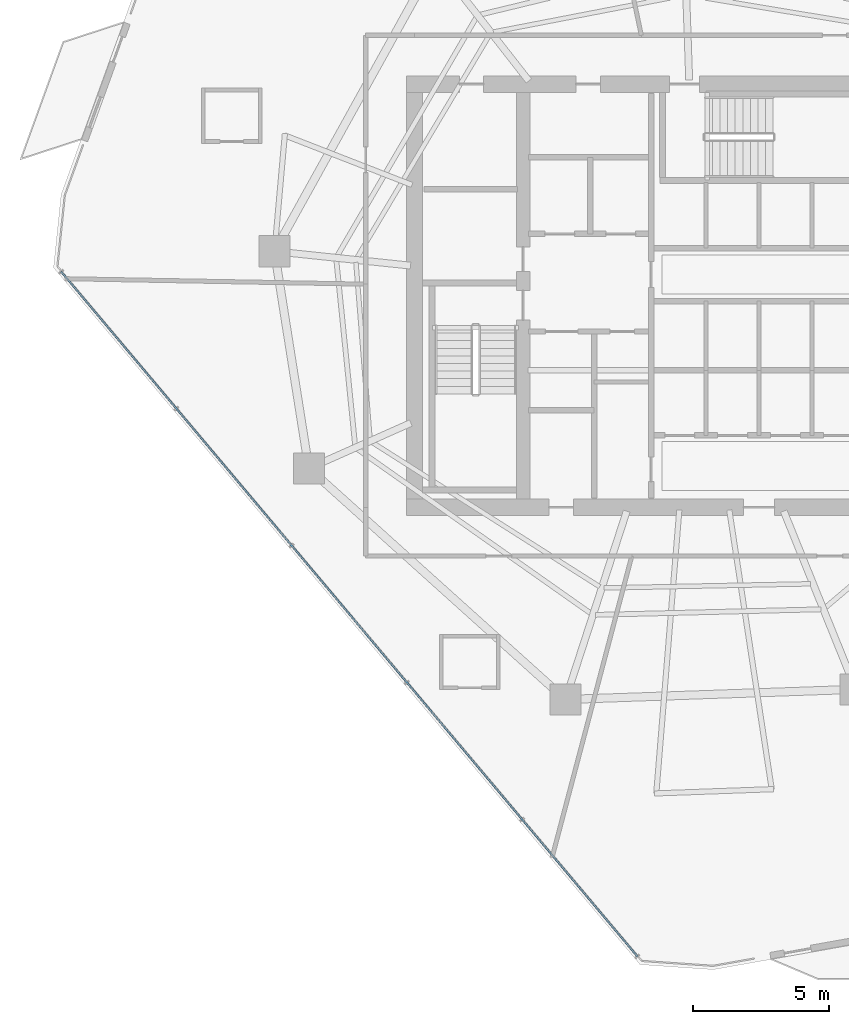
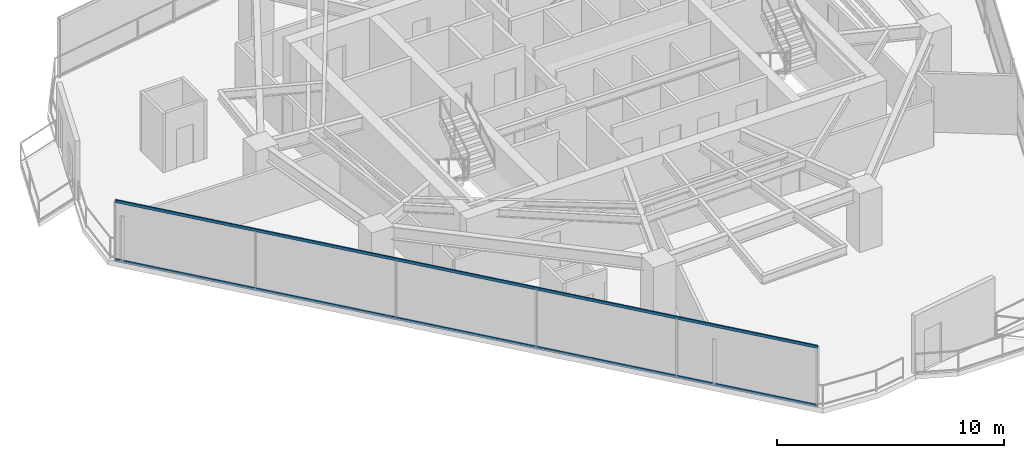
# One storey, part 3 of 27: 2 members, 1 element without a shape of its own.
"""IFC4 building model written with IfcOpenShell, lengths in metres."""

from ifc_helpers import new_model, si_unit, direction, frame, origin, origin_2d, place, context, subcontext, project, spatial, hollow_rectangle, extrude, material, layer, layer_set, material_profile, profile_set, type_object, element, aggregate, save


model = new_model("IFC4")

# Units and contexts
model_context = context("Model", 3, precision=1e-05, world=origin(), true_north=direction((0.0, 1.0)))
body_context = subcontext(model_context, "Body", "Model", "MODEL_VIEW")
ifc_project = project(units=[si_unit("LENGTHUNIT", "METRE"), si_unit("AREAUNIT", "SQUARE_METRE"), si_unit("VOLUMEUNIT", "CUBIC_METRE"), si_unit("PLANEANGLEUNIT", "RADIAN"), si_unit("MASSUNIT", "GRAM", prefix="KILO")], contexts=[model_context])

# Site, building, storey
site_placement = place(None, origin())
site = spatial("IfcSite", under=ifc_project, at=site_placement, CompositionType="ELEMENT")
building_placement = place(site_placement, origin())
building = spatial("IfcBuilding", under=site, at=building_placement, Name="Qarnah Convention Tower", CompositionType="ELEMENT")
storey_placement = place(building_placement, frame((0.0, 0.0, 103.949951171875)))
storey = spatial("IfcBuildingStorey", under=building, at=storey_placement, Name="L27", CompositionType="ELEMENT", Elevation=103.949951171875)

# Curtain wall, members
ifc_material_1 = material(Name="Tempered Low-E dark glass", Category="glass")
ifc_layer = layer(ifc_material_1, 0.169921875)
ifc_layer_set = layer_set([ifc_layer], Name="Tempered Low-E dark glass")
curtain_wall_type = type_object("IfcCurtainWallType", Name="CWS-02", PredefinedType="NOTDEFINED", material=ifc_layer_set)
curtain_wall_placement = place(storey_placement, origin())
curtain_wall = element("IfcCurtainWall", 1, at=curtain_wall_placement, inside=storey, type_object=curtain_wall_type, Name="L27 unitised curtain wall CW-L27-F1", PredefinedType="NOTDEFINED")
ifc_material_2 = material(Name="Black anodised aluminium", Category="aluminium")
ifc_material_profile = material_profile(ifc_material_2, hollow_rectangle(XDim=0.06494140625, YDim=0.14990234375, WallThickness=0.00390625, at=origin_2d()), Name="TRN-65X150")
ifc_profile_set = profile_set([ifc_material_profile], Name="Black anodised aluminium")
member_type = type_object("IfcMemberType", Name="TRN-T2", PredefinedType="USERDEFINED", material=ifc_profile_set)
member_1_placement = place(storey_placement, frame((35.010986328125, 2.049072265625, 0.0), z_axis=(-0.643881545718, 0.765125189158, 0.0), x_axis=(-0.765125189158, -0.643881545718, 0.0)))
member_1 = element("IfcMember", 2, at=member_1_placement, type_object=member_type, Name="CW-L27-F1 transom 1", ObjectType="TRANSOM", PredefinedType="USERDEFINED", context=body_context, shape_type="SweptSolid", body=[
    extrude(hollow_rectangle(XDim=0.06494140625, YDim=0.14990234375, WallThickness=0.00390625, at=origin_2d()), origin(), (0.0, 0.0, 1.0), 32.9814453125),
])
member_2_placement = place(storey_placement, frame((35.010986328125, 2.049072265625, 3.170166015625), z_axis=(-0.643881545718, 0.765125189158, 0.0), x_axis=(-0.765125189158, -0.643881545718, 0.0)))
member_2 = element("IfcMember", 3, at=member_2_placement, type_object=member_type, Name="CW-L27-F1 transom 2", ObjectType="TRANSOM", PredefinedType="USERDEFINED", context=body_context, shape_type="SweptSolid", body=[
    extrude(hollow_rectangle(XDim=0.06494140625, YDim=0.14990234375, WallThickness=0.00390625, at=origin_2d()), origin(), (0.0, 0.0, 1.0), 32.9814453125),
])
aggregate(curtain_wall, [member_1, member_2])

save(model, "model.ifc")
